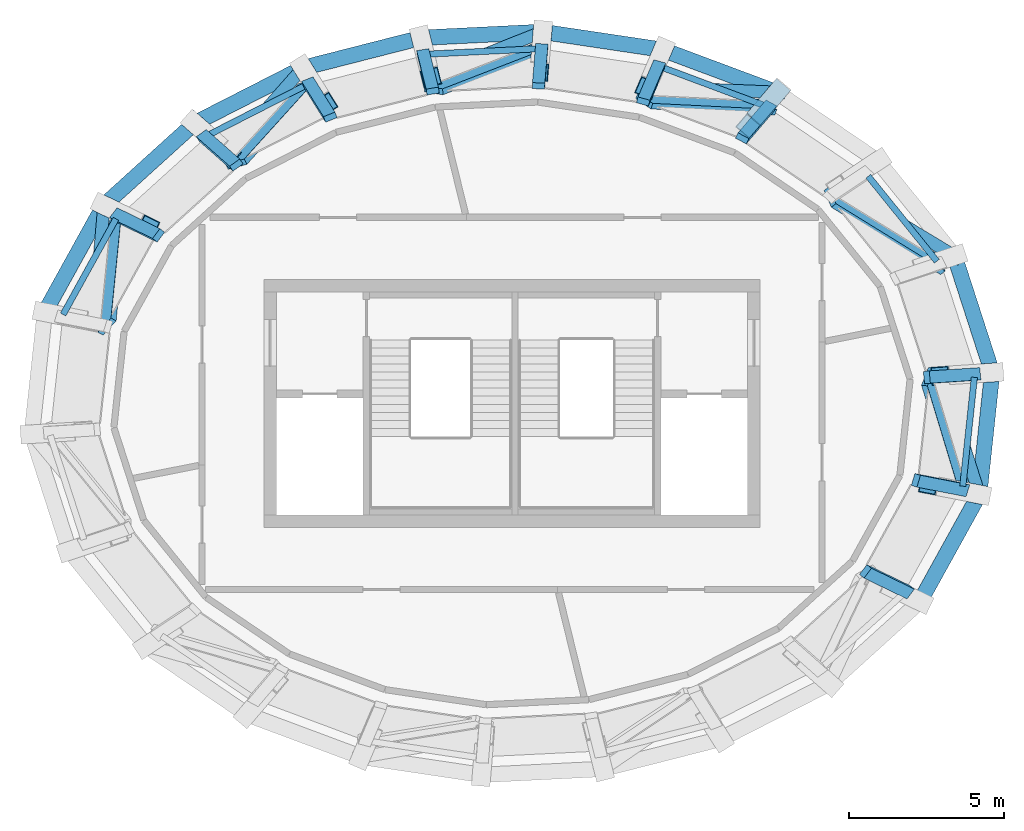
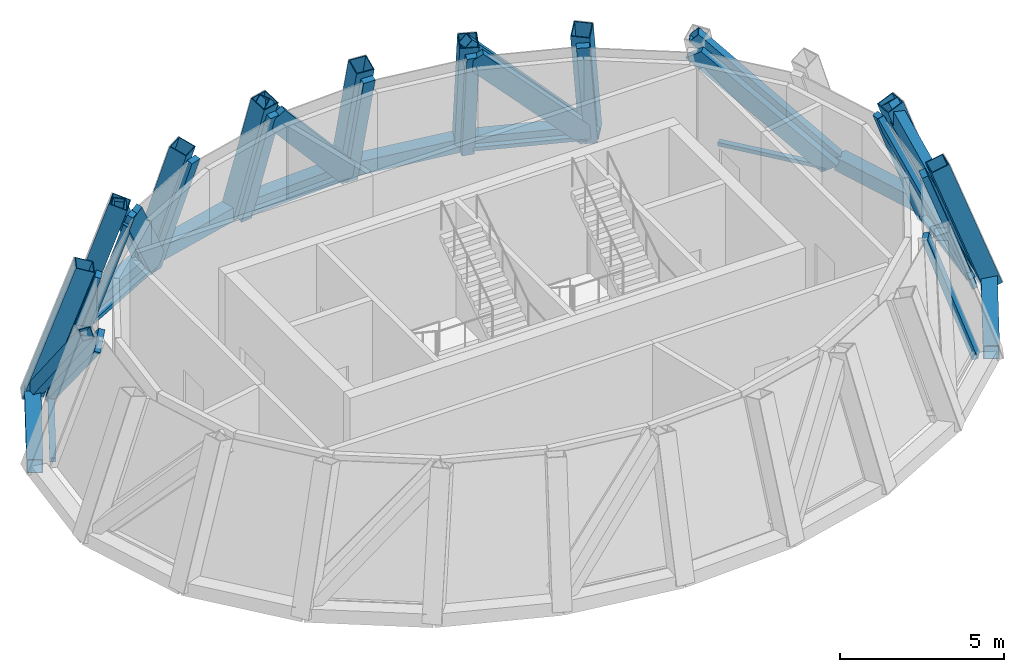
# One storey, part 2 of 6: 37 members, 10 beams, 1 element without a shape of its own.
"""IFC4 building model written with IfcOpenShell, lengths in metres."""

from ifc_helpers import new_model, si_unit, direction, frame, origin, origin_2d, place, context, subcontext, project, spatial, rectangle, hollow_rectangle, extrude, source, transform, mapped, material, material_profile, profile_set, type_object, element, aggregate, save


model = new_model("IFC4")

# Units and contexts
model_context = context("Model", 3, precision=1e-05, world=origin(), true_north=direction((0.0, 1.0)))
body_context = subcontext(model_context, "Body", "Model", "MODEL_VIEW")
ifc_project = project(units=[si_unit("LENGTHUNIT", "METRE"), si_unit("AREAUNIT", "SQUARE_METRE"), si_unit("VOLUMEUNIT", "CUBIC_METRE"), si_unit("PLANEANGLEUNIT", "RADIAN"), si_unit("MASSUNIT", "GRAM", prefix="KILO")], contexts=[model_context])

# Site, building, storey
site_placement = place(None, origin())
site = spatial("IfcSite", under=ifc_project, at=site_placement, CompositionType="ELEMENT")
building_placement = place(site_placement, origin())
building = spatial("IfcBuilding", under=site, at=building_placement, Name="Embergate Tower", CompositionType="ELEMENT")
storey_placement = place(building_placement, frame((0.0, 0.0, 365.5)))
storey = spatial("IfcBuildingStorey", under=building, at=storey_placement, Name="L83", CompositionType="ELEMENT", Elevation=365.5)

# Beams
ifc_material_1 = material(Name="Steel Q355D", Category="steel")
ifc_material_profile_1 = material_profile(ifc_material_1, hollow_rectangle(XDim=0.5, YDim=0.5, WallThickness=0.02490234375, at=origin_2d()), Name="BOX 500x500x25")
ifc_profile_set_1 = profile_set([ifc_material_profile_1], Name="Steel Q355 grade D")
beam_type = type_object("IfcBeamType", Name="Glass point ring beam BOX 500x500x25", PredefinedType="BEAM", material=ifc_profile_set_1)
shared_shape_1 = source(origin(), body_context, "Body", "SweptSolid", [
    extrude(hollow_rectangle(XDim=0.5, YDim=0.5, WallThickness=0.02490234375, at=origin_2d()), origin(), (0.0, 0.0, 1.0), 3.950439453125),
])
beam_1_placement = place(storey_placement, frame((15.489013671875, 0.993896484375, 0.0), z_axis=(-0.307575110553, 0.95152380494, 0.0), x_axis=(-0.95152380494, -0.307575110553, 0.0)))
element("IfcBeam", 1, at=beam_1_placement, inside=storey, type_object=beam_type, Name="CRN-L83-RB00", PredefinedType="BEAM", context=body_context, shape_type="MappedRepresentation", body=[
    mapped(shared_shape_1, transform((0.0, 0.0, 0.0))),
])
shared_shape_2 = source(origin(), body_context, "Body", "SweptSolid", [
    extrude(hollow_rectangle(XDim=0.5, YDim=0.5, WallThickness=0.02490234375, at=origin_2d()), origin(), (0.0, 0.0, 1.0), 3.927734375),
])
beam_2_placement = place(storey_placement, frame((8.5439453125, 10.031982421875, 0.0), z_axis=(-0.936907758417, 0.349576675734, 0.0), x_axis=(-0.349576675734, -0.936907758417, 0.0)))
element("IfcBeam", 2, at=beam_2_placement, inside=storey, type_object=beam_type, Name="CRN-L83-RB03", PredefinedType="BEAM", context=body_context, shape_type="MappedRepresentation", body=[
    mapped(shared_shape_2, transform((0.0, 0.0, 0.0))),
])
shared_shape_3 = source(origin(), body_context, "Body", "SweptSolid", [
    extrude(hollow_rectangle(XDim=0.5, YDim=0.5, WallThickness=0.02490234375, at=origin_2d()), origin(), (0.0, 0.0, 1.0), 3.925048828125),
])
beam_3_placement = place(storey_placement, frame((4.864013671875, 11.405029296875, 0.0), z_axis=(-0.989065095664, 0.147479613975, 0.0), x_axis=(-0.147479613975, -0.989065095664, 0.0)))
element("IfcBeam", 3, at=beam_3_placement, inside=storey, type_object=beam_type, Name="CRN-L83-RB04", PredefinedType="BEAM", context=body_context, shape_type="MappedRepresentation", body=[
    mapped(shared_shape_3, transform((0.0, 0.0, 0.0))),
])
shared_shape_4 = source(origin(), body_context, "Body", "SweptSolid", [
    extrude(hollow_rectangle(XDim=0.5, YDim=0.5, WallThickness=0.02490234375, at=origin_2d()), origin(), (0.0, 0.0, 1.0), 3.923583984375),
])
beam_4_placement = place(storey_placement, frame((0.98193359375, 11.98388671875, 0.0), z_axis=(-0.998803323714, -0.048907264667, 0.0), x_axis=(0.048907264667, -0.998803323714, 0.0)))
element("IfcBeam", 4, at=beam_4_placement, inside=storey, type_object=beam_type, Name="CRN-L83-RB05", PredefinedType="BEAM", context=body_context, shape_type="MappedRepresentation", body=[
    mapped(shared_shape_4, transform((0.0, 0.0, 0.0))),
])
shared_shape_5 = source(origin(), body_context, "Body", "SweptSolid", [
    extrude(hollow_rectangle(XDim=0.5, YDim=0.5, WallThickness=0.02490234375, at=origin_2d()), origin(), (0.0, 0.0, 1.0), 3.926025390625),
])
beam_5_placement = place(storey_placement, frame((-2.93701171875, 11.7919921875, 0.0), z_axis=(-0.968934517094, -0.247317410595, 0.0), x_axis=(0.247317410595, -0.968934517094, 0.0)))
element("IfcBeam", 5, at=beam_5_placement, inside=storey, type_object=beam_type, Name="CRN-L83-RB06", PredefinedType="BEAM", context=body_context, shape_type="MappedRepresentation", body=[
    mapped(shared_shape_5, transform((0.0, 0.0, 0.0))),
])
shared_shape_6 = source(origin(), body_context, "Body", "SweptSolid", [
    extrude(hollow_rectangle(XDim=0.5, YDim=0.5, WallThickness=0.02490234375, at=origin_2d()), origin(), (0.0, 0.0, 1.0), 3.9306640625),
])
beam_6_placement = place(storey_placement, frame((-6.740966796875, 10.821044921875, 0.0), z_axis=(-0.890669485551, -0.454651369193, 0.0), x_axis=(0.454651369193, -0.890669485551, 0.0)))
element("IfcBeam", 6, at=beam_6_placement, inside=storey, type_object=beam_type, Name="CRN-L83-RB07", PredefinedType="BEAM", context=body_context, shape_type="MappedRepresentation", body=[
    mapped(shared_shape_6, transform((0.0, 0.0, 0.0))),
])
shared_shape_7 = source(origin(), body_context, "Body", "SweptSolid", [
    extrude(hollow_rectangle(XDim=0.5, YDim=0.5, WallThickness=0.02490234375, at=origin_2d()), origin(), (0.0, 0.0, 1.0), 3.9384765625),
])
beam_7_placement = place(storey_placement, frame((-10.241943359375, 9.033935546875, 0.0), z_axis=(-0.74114501213, -0.671344971677, 0.0), x_axis=(0.671344971677, -0.74114501213, 0.0)))
element("IfcBeam", 7, at=beam_7_placement, inside=storey, type_object=beam_type, Name="CRN-L83-RB08", PredefinedType="BEAM", context=body_context, shape_type="MappedRepresentation", body=[
    mapped(shared_shape_7, transform((0.0, 0.0, 0.0))),
])
shared_shape_8 = source(origin(), body_context, "Body", "SweptSolid", [
    extrude(hollow_rectangle(XDim=0.5, YDim=0.5, WallThickness=0.02490234375, at=origin_2d()), origin(), (0.0, 0.0, 1.0), 3.94677734375),
])
for number, where, z_axis, x_axis, name in (
    (8, (-13.160888671875, 6.389892578125, 0.0), (-0.483966656921, -0.875086438581, 0.0), (0.875086438581, -0.483966656921, 0.0), "CRN-L83-RB09"),
    (9, (13.160888671875, -6.389892578125, 0.0), (0.483966656921, 0.875086438581, 0.0), (-0.875086438581, 0.483966656921, 0.0), "CRN-L83-RB20"),
):
    element("IfcBeam", number, at=place(storey_placement, frame(where, z_axis=z_axis, x_axis=x_axis)), inside=storey, type_object=beam_type, Name=name, PredefinedType="BEAM", context=body_context, shape_type="MappedRepresentation", body=[
        mapped(shared_shape_8, transform((0.0, 0.0, 0.0))),
    ])
shared_shape_9 = source(origin(), body_context, "Body", "SweptSolid", [
    extrude(hollow_rectangle(XDim=0.5, YDim=0.5, WallThickness=0.02490234375, at=origin_2d()), origin(), (0.0, 0.0, 1.0), 3.9521484375),
])
beam_8_placement = place(storey_placement, frame((15.071044921875, -2.93603515625, 0.0), z_axis=(0.105758761849, 0.994391816284, 0.0), x_axis=(-0.994391816284, 0.105758761849, 0.0)))
element("IfcBeam", 10, at=beam_8_placement, inside=storey, type_object=beam_type, Name="CRN-L83-RB21", PredefinedType="BEAM", context=body_context, shape_type="MappedRepresentation", body=[
    mapped(shared_shape_9, transform((0.0, 0.0, 0.0))),
])

# Members
ifc_material_profile_2 = material_profile(ifc_material_1, hollow_rectangle(XDim=0.60009765625, YDim=0.60009765625, WallThickness=0.028076171875, at=origin_2d()), Name="BOX 600x600x28")
ifc_profile_set_2 = profile_set([ifc_material_profile_2], Name="Steel Q355 grade D")
member_type_1 = type_object("IfcMemberType", Name="Glass point hip BOX 600x600x28", PredefinedType="MEMBER", material=ifc_profile_set_2)
shared_shape_10 = source(origin(), body_context, "Body", "SweptSolid", [
    extrude(hollow_rectangle(XDim=0.60009765625, YDim=0.60009765625, WallThickness=0.028076171875, at=origin_2d()), origin(), (0.0, 0.0, 1.0), 4.985107421875),
])
member_1_placement = place(storey_placement, frame((4.8798828125, 11.443115234375, -0.14404296875), z_axis=(-0.109116612669, -0.255993058538, 0.960500452275), x_axis=(0.919917020504, -0.392113090048, 0.0)))
element("IfcMember", 11, at=member_1_placement, inside=storey, type_object=member_type_1, Name="CRN-L83-HP04", PredefinedType="MEMBER", context=body_context, shape_type="MappedRepresentation", body=[
    mapped(shared_shape_10, transform((0.0, 0.0, 0.0))),
])
shared_shape_11 = source(origin(), body_context, "Body", "SweptSolid", [
    extrude(hollow_rectangle(XDim=0.60009765625, YDim=0.60009765625, WallThickness=0.028076171875, at=origin_2d()), origin(), (0.0, 0.0, 1.0), 4.977783203125),
])
member_2_placement = place(storey_placement, frame((-2.947021484375, 11.83203125, -0.14404296875), z_axis=(0.066112868646, -0.265383332527, 0.961873575589), x_axis=(0.970342594054, 0.241733841579, 0.0)))
element("IfcMember", 12, at=member_2_placement, inside=storey, type_object=member_type_1, Name="CRN-L83-HP06", PredefinedType="MEMBER", context=body_context, shape_type="MappedRepresentation", body=[
    mapped(shared_shape_11, transform((0.0, 0.0, 0.0))),
])
shared_shape_12 = source(origin(), body_context, "Body", "SweptSolid", [
    extrude(hollow_rectangle(XDim=0.60009765625, YDim=0.60009765625, WallThickness=0.028076171875, at=origin_2d()), origin(), (0.0, 0.0, 1.0), 4.996337890625),
])
member_3_placement = place(storey_placement, frame((-6.763916015625, 10.85693359375, -0.14404296875), z_axis=(0.151282472753, -0.242364685031, 0.95831778283), x_axis=(0.848305629821, 0.529506901195, 0.0)))
element("IfcMember", 13, at=member_3_placement, inside=storey, type_object=member_type_1, Name="CRN-L83-HP07", PredefinedType="MEMBER", context=body_context, shape_type="MappedRepresentation", body=[
    mapped(shared_shape_12, transform((0.0, 0.0, 0.0))),
])
shared_shape_13 = source(origin(), body_context, "Body", "SweptSolid", [
    extrude(hollow_rectangle(XDim=0.60009765625, YDim=0.60009765625, WallThickness=0.028076171875, at=origin_2d()), origin(), (0.0, 0.0, 1.0), 5.024169921875),
])
member_4_placement = place(storey_placement, frame((-10.27587890625, 9.06396484375, -0.14306640625), z_axis=(0.228095770655, -0.201223814717, 0.952618126953), x_axis=(0.661552945099, 0.749898460347, 0.0)))
element("IfcMember", 14, at=member_4_placement, inside=storey, type_object=member_type_1, Name="CRN-L83-HP08", PredefinedType="MEMBER", context=body_context, shape_type="MappedRepresentation", body=[
    mapped(shared_shape_13, transform((0.0, 0.0, 0.0))),
])
shared_shape_14 = source(origin(), body_context, "Body", "SweptSolid", [
    extrude(hollow_rectangle(XDim=0.60009765625, YDim=0.60009765625, WallThickness=0.028076171875, at=origin_2d()), origin(), (0.0, 0.0, 1.0), 5.081787109375),
])
member_5_placement = place(storey_placement, frame((15.12109375, -2.946044921875, -0.14111328125), z_axis=(-0.331975689609, 0.064761683009, 0.941062200878), x_axis=(-0.191470311224, -0.98149840546, 0.0)))
element("IfcMember", 15, at=member_5_placement, inside=storey, type_object=member_type_1, Name="CRN-L83-HP21", PredefinedType="MEMBER", context=body_context, shape_type="MappedRepresentation", body=[
    mapped(shared_shape_14, transform((0.0, 0.0, 0.0))),
])
shared_shape_15 = source(origin(), body_context, "Body", "SweptSolid", [
    extrude(hollow_rectangle(XDim=0.60009765625, YDim=0.60009765625, WallThickness=0.028076171875, at=origin_2d()), origin(), (0.0, 0.0, 1.0), 5.008544921875),
])
member_6_placement = place(storey_placement, frame((8.572998046875, 10.06591796875, -0.14306640625), z_axis=(-0.191076336561, -0.224417207532, 0.955576658657), x_axis=(0.761400435552, -0.648281865196, 0.0)))
element("IfcMember", 16, at=member_6_placement, inside=storey, type_object=member_type_1, Name="CRN-L83-HP03", PredefinedType="MEMBER", context=body_context, shape_type="MappedRepresentation", body=[
    mapped(shared_shape_15, transform((0.0, 0.0, 0.0))),
])
shared_shape_16 = source(origin(), body_context, "Body", "SweptSolid", [
    extrude(hollow_rectangle(XDim=0.60009765625, YDim=0.60009765625, WallThickness=0.028076171875, at=origin_2d()), origin(), (0.0, 0.0, 1.0), 5.056640625),
])
member_7_placement = place(storey_placement, frame((-13.205078125, 6.410888671875, -0.14208984375), z_axis=(0.291329169642, -0.14136755199, 0.946119722953), x_axis=(0.436566141593, 0.899672164744, 0.0)))
element("IfcMember", 17, at=member_7_placement, inside=storey, type_object=member_type_1, Name="CRN-L83-HP09", PredefinedType="MEMBER", context=body_context, shape_type="MappedRepresentation", body=[
    mapped(shared_shape_16, transform((0.0, 0.0, 0.0))),
])
shared_shape_17 = source(origin(), body_context, "Body", "SweptSolid", [
    extrude(hollow_rectangle(XDim=0.60009765625, YDim=0.60009765625, WallThickness=0.028076171875, at=origin_2d()), origin(), (0.0, 0.0, 1.0), 5.087890625),
])
member_8_placement = place(storey_placement, frame((15.5400390625, 0.9970703125, -0.14111328125), z_axis=(-0.340648104328, -0.021833340959, 0.939937324634), x_axis=(0.063962291006, -0.99795231616, 0.0)))
element("IfcMember", 18, at=member_8_placement, inside=storey, type_object=member_type_1, Name="CRN-L83-HP00", PredefinedType="MEMBER", context=body_context, shape_type="MappedRepresentation", body=[
    mapped(shared_shape_17, transform((0.0, 0.0, 0.0))),
])
ifc_material_profile_3 = material_profile(ifc_material_1, hollow_rectangle(XDim=0.39990234375, YDim=0.39990234375, WallThickness=0.02197265625, at=origin_2d()), Name="BOX 400x400x22")
ifc_profile_set_3 = profile_set([ifc_material_profile_3], Name="Steel Q355 grade D")
member_type_2 = type_object("IfcMemberType", Name="Glass point brace BOX 400x400x22", PredefinedType="BRACE", material=ifc_profile_set_3)
shared_shape_18 = source(origin(), body_context, "Body", "SweptSolid", [
    extrude(hollow_rectangle(XDim=0.39990234375, YDim=0.39990234375, WallThickness=0.02197265625, at=origin_2d()), origin(), (0.0, 0.0, 1.0), 6.55419921875),
])
member_9_placement = place(storey_placement, frame((14.363037109375, 4.698974609375, -0.10791015625), z_axis=(-0.594576662965, 0.358861769891, 0.719511516216), x_axis=(-0.516734112763, -0.856145931899, 0.0)))
element("IfcMember", 19, at=member_9_placement, inside=storey, type_object=member_type_2, Name="CRN-L83-DG01", PredefinedType="BRACE", context=body_context, shape_type="MappedRepresentation", body=[
    mapped(shared_shape_18, transform((0.0, 0.0, 0.0))),
])
shared_shape_19 = source(origin(), body_context, "Body", "SweptSolid", [
    extrude(hollow_rectangle(XDim=0.39990234375, YDim=0.39990234375, WallThickness=0.02197265625, at=origin_2d()), origin(), (0.0, 0.0, 1.0), 6.45263671875),
])
member_10_placement = place(storey_placement, frame((8.64599609375, 10.028076171875, -0.110107421875), z_axis=(-0.681259690359, 0.028035845305, 0.731504768044), x_axis=(-0.041118145616, -0.999154291439, 0.0)))
element("IfcMember", 20, at=member_10_placement, inside=storey, type_object=member_type_2, Name="CRN-L83-DG03", PredefinedType="BRACE", context=body_context, shape_type="MappedRepresentation", body=[
    mapped(shared_shape_19, transform((0.0, 0.0, 0.0))),
])
shared_shape_20 = source(origin(), body_context, "Body", "SweptSolid", [
    extrude(hollow_rectangle(XDim=0.60009765625, YDim=0.60009765625, WallThickness=0.028076171875, at=origin_2d()), origin(), (0.0, 0.0, 1.0), 4.973388671875),
])
member_11_placement = place(storey_placement, frame((0.985107421875, 12.02392578125, -0.14404296875), z_axis=(-0.021942567479, -0.269594140028, 0.962724012059), x_axis=(0.996704109496, -0.081122858147, 0.0)))
element("IfcMember", 21, at=member_11_placement, inside=storey, type_object=member_type_1, Name="CRN-L83-HP05", PredefinedType="MEMBER", context=body_context, shape_type="MappedRepresentation", body=[
    mapped(shared_shape_20, transform((0.0, 0.0, 0.0))),
])
shared_shape_21 = source(origin(), body_context, "Body", "SweptSolid", [
    extrude(hollow_rectangle(XDim=0.39990234375, YDim=0.39990234375, WallThickness=0.02197265625, at=origin_2d()), origin(), (0.0, 0.0, 1.0), 6.244873046875),
])
member_12_placement = place(storey_placement, frame((1.072998046875, 12.02001953125, -0.114013671875), z_axis=(-0.607213626095, -0.241016739948, 0.757101408894), x_axis=(0.368923479825, -0.929459771068, 0.0)))
element("IfcMember", 22, at=member_12_placement, inside=storey, type_object=member_type_2, Name="CRN-L83-DG05", PredefinedType="BRACE", context=body_context, shape_type="MappedRepresentation", body=[
    mapped(shared_shape_21, transform((0.0, 0.0, 0.0))),
])
shared_shape_22 = source(origin(), body_context, "Body", "SweptSolid", [
    extrude(hollow_rectangle(XDim=0.39990234375, YDim=0.39990234375, WallThickness=0.02197265625, at=origin_2d()), origin(), (0.0, 0.0, 1.0), 6.097900390625),
])
member_13_placement = place(storey_placement, frame((-6.677978515625, 10.89208984375, -0.115966796875), z_axis=(-0.418026229327, -0.472316389941, 0.775996971249), x_axis=(0.748832975587, -0.662758760541, 0.0)))
element("IfcMember", 23, at=member_13_placement, inside=storey, type_object=member_type_2, Name="CRN-L83-DG07", PredefinedType="BRACE", context=body_context, shape_type="MappedRepresentation", body=[
    mapped(shared_shape_22, transform((0.0, 0.0, 0.0))),
])
shared_shape_23 = source(origin(), body_context, "Body", "SweptSolid", [
    extrude(hollow_rectangle(XDim=0.39990234375, YDim=0.39990234375, WallThickness=0.02197265625, at=origin_2d()), origin(), (0.0, 0.0, 1.0), 6.175048828125),
])
member_14_placement = place(storey_placement, frame((-13.153076171875, 6.486083984375, -0.114990234375), z_axis=(-0.054877590945, -0.640502142149, 0.765993117407), x_axis=(0.996349638855, -0.085366253008, 0.0)))
element("IfcMember", 24, at=member_14_placement, inside=storey, type_object=member_type_2, Name="CRN-L83-DG09", PredefinedType="BRACE", context=body_context, shape_type="MappedRepresentation", body=[
    mapped(shared_shape_23, transform((0.0, 0.0, 0.0))),
])
shared_shape_24 = source(origin(), body_context, "Body", "SweptSolid", [
    extrude(hollow_rectangle(XDim=0.39990234375, YDim=0.39990234375, WallThickness=0.02197265625, at=origin_2d()), origin(), (0.0, 0.0, 1.0), 6.3291015625),
])
member_15_placement = place(storey_placement, frame((15.10107421875, -3.031005859375, -0.112060546875), z_axis=(-0.201164498581, 0.634352862736, 0.746410939127), x_axis=(-0.953218417477, -0.302282398732, 0.0)))
element("IfcMember", 25, at=member_15_placement, inside=storey, type_object=member_type_2, Name="CRN-L83-DG21", PredefinedType="BRACE", context=body_context, shape_type="MappedRepresentation", body=[
    mapped(shared_shape_24, transform((0.0, 0.0, 0.0))),
])

# Curtain wall, members
ifc_material_2 = material(Name="Aluminium and glass", Category="aluminium")
curtain_wall_type = type_object("IfcCurtainWallType", Name="Crown facet glazing", PredefinedType="NOTDEFINED", material=ifc_material_2)
curtain_wall_placement = place(storey_placement, origin())
curtain_wall = element("IfcCurtainWall", 26, at=curtain_wall_placement, inside=storey, type_object=curtain_wall_type, Name="Crown facet glazing L83", ObjectType="CROWN FACET GLAZING", PredefinedType="USERDEFINED")
ifc_material_3 = material(Name="Aluminium, thermally broken", Category="aluminium")
ifc_material_profile_4 = material_profile(ifc_material_3, rectangle(XDim=0.199951171875, YDim=0.39990234375, at=origin_2d()), Name="AL 400x200")
ifc_profile_set_4 = profile_set([ifc_material_profile_4], Name="Aluminium, thermally broken")
member_type_3 = type_object("IfcMemberType", Name="Crown hip mullion", PredefinedType="MULLION", material=ifc_profile_set_4)
shared_shape_25 = source(origin(), body_context, "Body", "SweptSolid", [
    extrude(rectangle(XDim=0.199951171875, YDim=0.39990234375, at=origin_2d()), origin(), (0.0, 0.0, 1.0), 4.78759765625),
])
member_16_placement = place(storey_placement, frame((15.01220703125, 0.944580078125, -0.173828125), z_axis=(-0.340645264756, -0.021927764049, 0.939936155685), x_axis=(0.934988001259, 0.097138355122, 0.341118128316)))
member_16 = element("IfcMember", 27, at=member_16_placement, type_object=member_type_3, Name="CW hip 1", PredefinedType="MULLION", context=body_context, shape_type="MappedRepresentation", body=[
    mapped(shared_shape_25, transform((0.0, 0.0, 0.0))),
])
shared_shape_26 = source(origin(), body_context, "Body", "SweptSolid", [
    extrude(rectangle(XDim=0.199951171875, YDim=0.39990234375, at=origin_2d()), origin(), (0.0, 0.0, 1.0), 4.708984375),
])
member_17_placement = place(storey_placement, frame((8.32275390625, 9.603759765625, -0.144775390625), z_axis=(-0.190950191689, -0.224287409516, 0.955632346787), x_axis=(0.439622614465, 0.85090875737, 0.287552157848)))
member_17 = element("IfcMember", 28, at=member_17_placement, type_object=member_type_3, Name="CW hip 4", PredefinedType="MULLION", context=body_context, shape_type="MappedRepresentation", body=[
    mapped(shared_shape_26, transform((0.0, 0.0, 0.0))),
])
shared_shape_27 = source(origin(), body_context, "Body", "SweptSolid", [
    extrude(rectangle(XDim=0.199951171875, YDim=0.39990234375, at=origin_2d()), origin(), (0.0, 0.0, 1.0), 4.674560546875),
])
member_18_placement = place(storey_placement, frame((0.9580078125, 11.501220703125, -0.135986328125), z_axis=(-0.022040106817, -0.26980851141, 0.96266172712), x_axis=(0.04766957054, 0.961516825871, 0.270579019163)))
member_18 = element("IfcMember", 29, at=member_18_placement, type_object=member_type_3, Name="CW hip 6", PredefinedType="MULLION", context=body_context, shape_type="MappedRepresentation", body=[
    mapped(shared_shape_27, transform((0.0, 0.0, 0.0))),
])
shared_shape_28 = source(origin(), body_context, "Body", "SweptSolid", [
    extrude(rectangle(XDim=0.199951171875, YDim=0.39990234375, at=origin_2d()), origin(), (0.0, 0.0, 1.0), 4.67822265625),
])
member_19_placement = place(storey_placement, frame((-2.864990234375, 11.31396484375, -0.13671875), z_axis=(0.066016658347, -0.265266936266, 0.96191228984), x_axis=(-0.143079258813, 0.951536521124, 0.272225227825)))
member_19 = element("IfcMember", 30, at=member_19_placement, type_object=member_type_3, Name="CW hip 7", PredefinedType="MULLION", context=body_context, shape_type="MappedRepresentation", body=[
    mapped(shared_shape_28, transform((0.0, 0.0, 0.0))),
])
shared_shape_29 = source(origin(), body_context, "Body", "SweptSolid", [
    extrude(rectangle(XDim=0.199951171875, YDim=0.39990234375, at=origin_2d()), origin(), (0.0, 0.0, 1.0), 4.69580078125),
])
member_20_placement = place(storey_placement, frame((-6.570556640625, 10.369384765625, -0.14111328125), z_axis=(0.151188442797, -0.242535792864, 0.958289332062), x_axis=(-0.338782325299, 0.898007855339, 0.280728387973)))
member_20 = element("IfcMember", 31, at=member_20_placement, type_object=member_type_3, Name="CW hip 8", PredefinedType="MULLION", context=body_context, shape_type="MappedRepresentation", body=[
    mapped(shared_shape_29, transform((0.0, 0.0, 0.0))),
])
shared_shape_30 = source(origin(), body_context, "Body", "SweptSolid", [
    extrude(rectangle(XDim=0.199951171875, YDim=0.39990234375, at=origin_2d()), origin(), (0.0, 0.0, 1.0), 4.72412109375),
])
member_21_placement = place(storey_placement, frame((-9.96875, 8.6376953125, -0.149169921875), z_axis=(0.228218274527, -0.201344745824, 0.95256323281), x_axis=(-0.542129097813, 0.786394894829, 0.296106586708)))
member_21 = element("IfcMember", 32, at=member_21_placement, type_object=member_type_3, Name="CW hip 9", PredefinedType="MULLION", context=body_context, shape_type="MappedRepresentation", body=[
    mapped(shared_shape_30, transform((0.0, 0.0, 0.0))),
])
shared_shape_31 = source(origin(), body_context, "Body", "SweptSolid", [
    extrude(rectangle(XDim=0.199951171875, YDim=0.39990234375, at=origin_2d()), origin(), (0.0, 0.0, 1.0), 4.756103515625),
])
member_22_placement = place(storey_placement, frame((-12.784912109375, 6.091552734375, -0.160400390625), z_axis=(0.291203852002, -0.141469736668, 0.946143028398), x_axis=(-0.743158892282, 0.58933993204, 0.316849026075)))
member_22 = element("IfcMember", 33, at=member_22_placement, type_object=member_type_3, Name="CW hip 10", PredefinedType="MULLION", context=body_context, shape_type="MappedRepresentation", body=[
    mapped(shared_shape_31, transform((0.0, 0.0, 0.0))),
])
member_23_placement = place(storey_placement, frame((12.784912109375, -6.091552734375, -0.160400390625), z_axis=(-0.291203852002, 0.141469736668, 0.946143028398), x_axis=(0.743158892282, -0.58933993204, 0.316849026075)))
member_23 = element("IfcMember", 34, at=member_23_placement, type_object=member_type_3, Name="CW hip 21", PredefinedType="MULLION", context=body_context, shape_type="MappedRepresentation", body=[
    mapped(shared_shape_31, transform((0.0, 0.0, 0.0))),
])
ifc_material_profile_5 = material_profile(ifc_material_3, rectangle(XDim=0.199951171875, YDim=0.139892578125, at=origin_2d()), Name="AL 140x200")
ifc_profile_set_5 = profile_set([ifc_material_profile_5], Name="Aluminium, thermally broken")
member_type_4 = type_object("IfcMemberType", Name="Crown facet transom", PredefinedType="USERDEFINED", material=ifc_profile_set_5)
shared_shape_32 = source(origin(), body_context, "Body", "SweptSolid", [
    extrude(rectangle(XDim=0.199951171875, YDim=0.139892578125, at=origin_2d()), origin(), (0.0, 0.0, 1.0), 3.521728515625),
])
member_24_placement = place(storey_placement, frame((13.703369140625, 4.5849609375, 0.070068359375), z_axis=(-0.628298378282, 0.777972459569, 0.0), x_axis=(-0.777972459569, -0.628298378282, 0.0)))
member_24 = element("IfcMember", 35, at=member_24_placement, type_object=member_type_4, Name="CW transom 2.1", ObjectType="TRANSOM", PredefinedType="USERDEFINED", context=body_context, shape_type="MappedRepresentation", body=[
    mapped(shared_shape_32, transform((0.0, 0.0, 0.0))),
])
ifc_material_profile_6 = material_profile(ifc_material_3, rectangle(XDim=0.199951171875, YDim=0.760009765625, at=origin_2d()), Name="AL 760x200")
ifc_profile_set_6 = profile_set([ifc_material_profile_6], Name="Aluminium, thermally broken")
member_type_5 = type_object("IfcMemberType", Name="Crown diagonal cover mullion", PredefinedType="MULLION", material=ifc_profile_set_6)
shared_shape_33 = source(origin(), body_context, "Body", "SweptSolid", [
    extrude(rectangle(XDim=0.199951171875, YDim=0.760009765625, at=origin_2d()), origin(), (0.0, 0.0, 1.0), 5.877685546875),
])
member_25_placement = place(storey_placement, frame((13.780517578125, 4.481689453125, 0.085205078125), z_axis=(-0.599386189627, 0.369642252356, 0.710000564054), x_axis=(0.738842654977, 0.596748335426, 0.313054237078)))
member_25 = element("IfcMember", 36, at=member_25_placement, type_object=member_type_5, Name="CW diagonal mullion 2", PredefinedType="MULLION", context=body_context, shape_type="MappedRepresentation", body=[
    mapped(shared_shape_33, transform((0.0, 0.0, 0.0))),
])
shared_shape_34 = source(origin(), body_context, "Body", "SweptSolid", [
    extrude(rectangle(XDim=0.199951171875, YDim=0.139892578125, at=origin_2d()), origin(), (0.0, 0.0, 1.0), 3.5087890625),
])
member_26_placement = place(storey_placement, frame((8.14697265625, 9.602783203125, 0.070068359375), z_axis=(-0.936908375281, 0.349575022459, 0.0), x_axis=(-0.349575022459, -0.936908375281, 0.0)))
member_26 = element("IfcMember", 37, at=member_26_placement, type_object=member_type_4, Name="CW transom 4.1", ObjectType="TRANSOM", PredefinedType="USERDEFINED", context=body_context, shape_type="MappedRepresentation", body=[
    mapped(shared_shape_34, transform((0.0, 0.0, 0.0))),
])
shared_shape_35 = source(origin(), body_context, "Body", "SweptSolid", [
    extrude(rectangle(XDim=0.199951171875, YDim=0.760009765625, at=origin_2d()), origin(), (0.0, 0.0, 1.0), 5.793212890625),
])
member_27_placement = place(storey_placement, frame((8.265380859375, 9.553466796875, 0.086669921875), z_axis=(-0.69019862916, 0.0340927275, 0.722816393171), x_axis=(0.33580837907, 0.899906855188, 0.278209245951)))
member_27 = element("IfcMember", 38, at=member_27_placement, type_object=member_type_5, Name="CW diagonal mullion 4", PredefinedType="MULLION", context=body_context, shape_type="MappedRepresentation", body=[
    mapped(shared_shape_35, transform((0.0, 0.0, 0.0))),
])
shared_shape_36 = source(origin(), body_context, "Body", "SweptSolid", [
    extrude(rectangle(XDim=0.199951171875, YDim=0.39990234375, at=origin_2d()), origin(), (0.0, 0.0, 1.0), 4.685302734375),
])
member_28_placement = place(storey_placement, frame((4.743408203125, 10.937255859375, -0.138427734375), z_axis=(-0.109321636966, -0.256108601376, 0.960446335821), x_axis=(0.240261429055, 0.930778899096, 0.275545072006)))
member_28 = element("IfcMember", 39, at=member_28_placement, type_object=member_type_3, Name="CW hip 5", PredefinedType="MULLION", context=body_context, shape_type="MappedRepresentation", body=[
    mapped(shared_shape_36, transform((0.0, 0.0, 0.0))),
])
shared_shape_37 = source(origin(), body_context, "Body", "SweptSolid", [
    extrude(rectangle(XDim=0.199951171875, YDim=0.139892578125, at=origin_2d()), origin(), (0.0, 0.0, 1.0), 3.5048828125),
])
member_29_placement = place(storey_placement, frame((0.801025390625, 11.435791015625, 0.070068359375), z_axis=(-0.998803737031, -0.048898823028, 0.0), x_axis=(0.048898823028, -0.998803737031, 0.0)))
member_29 = element("IfcMember", 40, at=member_29_placement, type_object=member_type_4, Name="CW transom 6.1", ObjectType="TRANSOM", PredefinedType="USERDEFINED", context=body_context, shape_type="MappedRepresentation", body=[
    mapped(shared_shape_37, transform((0.0, 0.0, 0.0))),
])
shared_shape_38 = source(origin(), body_context, "Body", "SweptSolid", [
    extrude(rectangle(XDim=0.199951171875, YDim=0.760009765625, at=origin_2d()), origin(), (0.0, 0.0, 1.0), 5.59228515625),
])
member_30_placement = place(storey_placement, frame((0.92822265625, 11.4365234375, 0.08984375), z_axis=(-0.618436790265, -0.239237160148, 0.748532910199), x_axis=(-0.047140537736, 0.962111264575, 0.268551083185)))
member_30 = element("IfcMember", 41, at=member_30_placement, type_object=member_type_5, Name="CW diagonal mullion 6", PredefinedType="MULLION", context=body_context, shape_type="MappedRepresentation", body=[
    mapped(shared_shape_38, transform((0.0, 0.0, 0.0))),
])
shared_shape_39 = source(origin(), body_context, "Body", "SweptSolid", [
    extrude(rectangle(XDim=0.199951171875, YDim=0.139892578125, at=origin_2d()), origin(), (0.0, 0.0, 1.0), 3.51123046875),
])
member_31_placement = place(storey_placement, frame((-6.667724609375, 10.24951171875, 0.070068359375), z_axis=(-0.890669367745, -0.454651599976, 0.0), x_axis=(0.454651599976, -0.890669367745, 0.0)))
member_31 = element("IfcMember", 42, at=member_31_placement, type_object=member_type_4, Name="CW transom 8.1", ObjectType="TRANSOM", PredefinedType="USERDEFINED", context=body_context, shape_type="MappedRepresentation", body=[
    mapped(shared_shape_39, transform((0.0, 0.0, 0.0))),
])
shared_shape_40 = source(origin(), body_context, "Body", "SweptSolid", [
    extrude(rectangle(XDim=0.199951171875, YDim=0.760009765625, at=origin_2d()), origin(), (0.0, 0.0, 1.0), 5.4404296875),
])
member_32_placement = place(storey_placement, frame((-6.55224609375, 10.301025390625, 0.092041015625), z_axis=(-0.430482248548, -0.47567099287, 0.767086787937), x_axis=(-0.43581979571, 0.853770554685, 0.284845476741)))
member_32 = element("IfcMember", 43, at=member_32_placement, type_object=member_type_5, Name="CW diagonal mullion 8", PredefinedType="MULLION", context=body_context, shape_type="MappedRepresentation", body=[
    mapped(shared_shape_40, transform((0.0, 0.0, 0.0))),
])
shared_shape_41 = source(origin(), body_context, "Body", "SweptSolid", [
    extrude(rectangle(XDim=0.199951171875, YDim=0.139892578125, at=origin_2d()), origin(), (0.0, 0.0, 1.0), 3.525390625),
])
member_33_placement = place(storey_placement, frame((-12.7724609375, 5.951416015625, 0.070068359375), z_axis=(-0.483919230186, -0.875112666264, 0.0), x_axis=(0.875112666264, -0.483919230186, 0.0)))
member_33 = element("IfcMember", 44, at=member_33_placement, type_object=member_type_4, Name="CW transom 10.1", ObjectType="TRANSOM", PredefinedType="USERDEFINED", context=body_context, shape_type="MappedRepresentation", body=[
    mapped(shared_shape_41, transform((0.0, 0.0, 0.0))),
])
shared_shape_42 = source(origin(), body_context, "Body", "SweptSolid", [
    extrude(rectangle(XDim=0.199951171875, YDim=0.760009765625, at=origin_2d()), origin(), (0.0, 0.0, 1.0), 5.4990234375),
])
member_34_placement = place(storey_placement, frame((-12.705078125, 6.05859375, 0.0908203125), z_axis=(-0.064953489746, -0.651443988411, 0.755911221065), x_axis=(-0.828102038875, 0.457864256255, 0.323430573779)))
member_34 = element("IfcMember", 45, at=member_34_placement, type_object=member_type_5, Name="CW diagonal mullion 10", PredefinedType="MULLION", context=body_context, shape_type="MappedRepresentation", body=[
    mapped(shared_shape_42, transform((0.0, 0.0, 0.0))),
])
shared_shape_43 = source(origin(), body_context, "Body", "SweptSolid", [
    extrude(rectangle(XDim=0.199951171875, YDim=0.39990234375, at=origin_2d()), origin(), (0.0, 0.0, 1.0), 4.78173828125),
])
member_35_placement = place(storey_placement, frame((14.614013671875, -2.79150390625, -0.171142578125), z_axis=(-0.331924889654, 0.064587753486, 0.941092072928), x_axis=(0.898052146858, -0.283660928876, 0.336212461032)))
member_35 = element("IfcMember", 46, at=member_35_placement, type_object=member_type_3, Name="CW hip 22", PredefinedType="MULLION", context=body_context, shape_type="MappedRepresentation", body=[
    mapped(shared_shape_43, transform((0.0, 0.0, 0.0))),
])
shared_shape_44 = source(origin(), body_context, "Body", "SweptSolid", [
    extrude(rectangle(XDim=0.199951171875, YDim=0.139892578125, at=origin_2d()), origin(), (0.0, 0.0, 1.0), 3.530029296875),
])
member_36_placement = place(storey_placement, frame((14.539794921875, -2.6708984375, 0.070068359375), z_axis=(0.105815155094, 0.994385816951, 0.0), x_axis=(-0.994385816951, 0.105815155094, 0.0)))
member_36 = element("IfcMember", 47, at=member_36_placement, type_object=member_type_4, Name="CW transom 22.1", ObjectType="TRANSOM", PredefinedType="USERDEFINED", context=body_context, shape_type="MappedRepresentation", body=[
    mapped(shared_shape_44, transform((0.0, 0.0, 0.0))),
])
shared_shape_45 = source(origin(), body_context, "Body", "SweptSolid", [
    extrude(rectangle(XDim=0.199951171875, YDim=0.760009765625, at=origin_2d()), origin(), (0.0, 0.0, 1.0), 5.645263671875),
])
member_37_placement = place(storey_placement, frame((14.52001953125, -2.796875, 0.08837890625), z_axis=(-0.196042687883, 0.647983144175, 0.735992601453), x_axis=(0.936222900423, -0.099539942815, 0.337014065743)))
member_37 = element("IfcMember", 48, at=member_37_placement, type_object=member_type_5, Name="CW diagonal mullion 22", PredefinedType="MULLION", context=body_context, shape_type="MappedRepresentation", body=[
    mapped(shared_shape_45, transform((0.0, 0.0, 0.0))),
])
aggregate(curtain_wall, [member_16, member_24, member_25, member_17, member_26, member_27, member_28, member_18, member_29, member_30, member_19, member_20, member_31, member_32, member_21, member_22, member_33, member_34, member_23, member_35, member_36, member_37])

save(model, "model.ifc")
